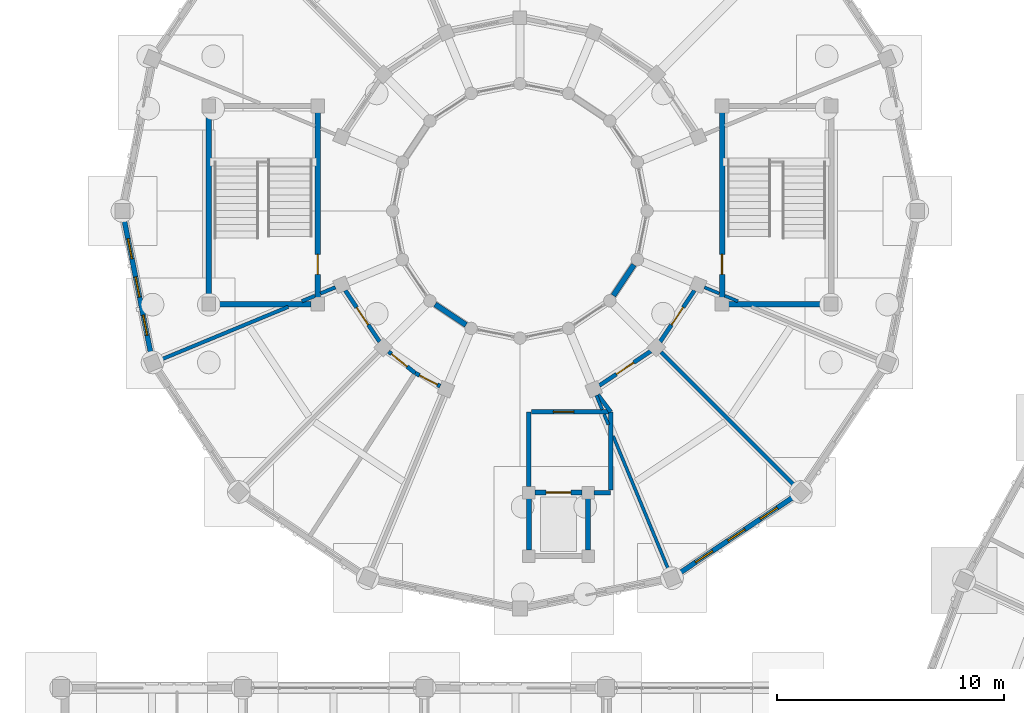
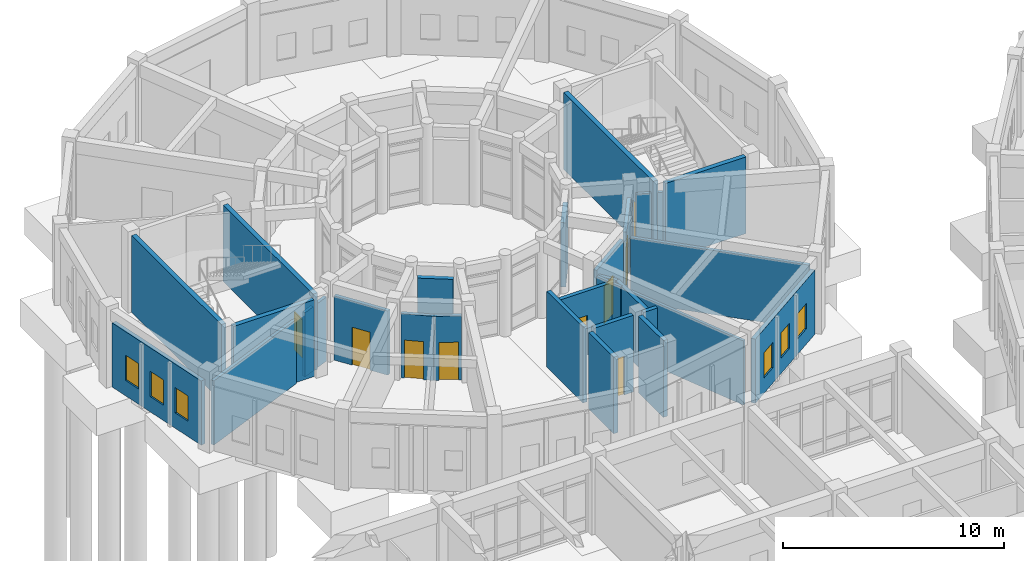
# One storey, part 126 of 153: 31 walls, 9 doors, 6 windows, 15 openings.
"""IFC4 building model written with IfcOpenShell, lengths in metres."""

import ifcopenshell
import ifcopenshell.guid

model = None  # the IFC model being written
_history = None  # IfcOwnerHistory: only IFC2X3 demands one
_inside = {}  # id of a spatial element -> (the spatial element, [elements in it])
_under = {}  # id of a project, library or spatial element -> (it, [spatial elements below it])
_declared = {}  # id of a project -> (the project, [libraries it declares])
_typed = {}  # id of a type object -> (the type object, [elements of that type])
_made_of = {}  # id of a material, layer set ... -> (it, [elements and type objects made of it])


def new_model(schema):
    """Start an empty IFC model of exactly this schema.

    Asked for "IFC4X3", IfcOpenShell would pick the latest addendum, in which some entities
    have other attributes; the version numbers below select the first issue.
    IFC2X3 requires an IfcOwnerHistory on every rooted entity: one is made here for all.
    """
    global model, _history
    if schema == "IFC4X3":
        model = ifcopenshell.file(schema_version=(4, 3, 0, 0))
    else:
        model = ifcopenshell.file(schema=schema)
    _inside.clear()
    _under.clear()
    _declared.clear()
    _typed.clear()
    _made_of.clear()
    _history = None
    if model.schema == "IFC2X3":
        org = make("IfcOrganization", Name="unknown")
        user = make(
            "IfcPersonAndOrganization",
            ThePerson=make("IfcPerson", FamilyName="unknown"),
            TheOrganization=org,
        )
        app = make(
            "IfcApplication",
            ApplicationDeveloper=org,
            Version="unknown",
            ApplicationFullName="unknown",
            ApplicationIdentifier="unknown",
        )
        _history = make(
            "IfcOwnerHistory",
            OwningUser=user,
            OwningApplication=app,
            ChangeAction="ADDED",
            CreationDate=0,
        )
    return model


def make(cls, **values):
    """One entity of the class cls with the attributes given. An attribute that is None is left unset."""
    return model.create_entity(
        cls, **{name: value for name, value in values.items() if value is not None}
    )


def rooted(cls, **values):
    """An entity with a GlobalId (a new one), such as an element, a storey or a relation."""
    return make(cls, GlobalId=ifcopenshell.guid.new(), OwnerHistory=_history, **values)


def si_unit(unit_type, name, prefix=None):
    """IfcSIUnit, for example si_unit("LENGTHUNIT", "METRE", prefix="MILLI")."""
    return make("IfcSIUnit", UnitType=unit_type, Prefix=prefix, Name=name)


def assignment(units):
    """IfcUnitAssignment: the units of a project."""
    return None if units is None else make("IfcUnitAssignment", Units=units)


def point(xyz):
    """IfcCartesianPoint."""
    return None if xyz is None else make("IfcCartesianPoint", Coordinates=xyz)


def direction(xyz):
    """IfcDirection."""
    return None if xyz is None else make("IfcDirection", DirectionRatios=xyz)


def frame(location, z_axis=None, x_axis=None):
    """IfcAxis2Placement3D, a coordinate frame: its origin and axes. An axis left out is left unset."""
    return make(
        "IfcAxis2Placement3D",
        Location=point(location),
        Axis=direction(z_axis),
        RefDirection=direction(x_axis),
    )


def frame_2d(location, x_axis=None):
    """IfcAxis2Placement2D, a coordinate frame in the plane: its origin and x axis."""
    return make(
        "IfcAxis2Placement2D", Location=point(location), RefDirection=direction(x_axis)
    )


def origin():
    """The frame at (0, 0, 0) with its axes left unset."""
    return frame((0.0, 0.0, 0.0))


def place(relative_to, where):
    """IfcLocalPlacement: puts the frame where relative to a parent placement (None: the world)."""
    return make(
        "IfcLocalPlacement", PlacementRelTo=relative_to, RelativePlacement=where
    )


def context(
    kind, dimensions, precision=None, world=None, true_north=None, identifier=None
):
    """IfcGeometricRepresentationContext, for example the 3D "Model" context."""
    return make(
        "IfcGeometricRepresentationContext",
        ContextIdentifier=identifier,
        ContextType=kind,
        CoordinateSpaceDimension=dimensions,
        Precision=precision,
        WorldCoordinateSystem=world,
        TrueNorth=true_north,
    )


def subcontext(parent, identifier, kind, view, scale=None):
    """IfcGeometricRepresentationSubContext, for example "Body" below "Model"."""
    return make(
        "IfcGeometricRepresentationSubContext",
        ContextIdentifier=identifier,
        ContextType=kind,
        ParentContext=parent,
        TargetScale=scale,
        TargetView=view,
    )


def project(units=None, contexts=None):
    """IfcProject with its units and contexts."""
    return rooted(
        "IfcProject",
        Name="project",
        RepresentationContexts=contexts,
        UnitsInContext=assignment(units),
    )


def spatial(cls, under=None, at=None, **own):
    """A site, building, storey or space (cls), placed at a placement, below another one or the project."""
    s = rooted(cls, ObjectPlacement=at, **own)
    if under is not None:
        _under.setdefault(under.id(), (under, []))[1].append(s)
    return s


def profile(cls, at=None, kind="AREA", **sizes):
    """A parametric profile (cls). Its sizes go by their IFC names, for example OverallWidth=200.0."""
    return make(cls, ProfileType=kind, Position=at, **sizes)


def rectangle(**sizes):
    """IfcRectangleProfileDef."""
    return profile("IfcRectangleProfileDef", **sizes)


def extrude(swept, where, along, depth):
    """IfcExtrudedAreaSolid: the profile swept, set in the frame where, extruded along a direction by depth."""
    return make(
        "IfcExtrudedAreaSolid",
        SweptArea=swept,
        Position=where,
        ExtrudedDirection=direction(along),
        Depth=depth,
    )


def shape(context_of_items, identifier, shape_type, items):
    """IfcShapeRepresentation: the items that make up one representation, for example the "Body"."""
    return make(
        "IfcShapeRepresentation",
        ContextOfItems=context_of_items,
        RepresentationIdentifier=identifier,
        RepresentationType=shape_type,
        Items=items,
    )


def material(Name=None, Category=None):
    """IfcMaterial."""
    return make("IfcMaterial", Name=Name, Category=Category)


def layer(
    of_material, thickness, ventilated=None, Name=None, Category=None, Priority=None
):
    """IfcMaterialLayer: one layer of a wall or slab, of a material (None: an air gap)."""
    return make(
        "IfcMaterialLayer",
        Material=of_material,
        LayerThickness=thickness,
        IsVentilated=ventilated,
        Name=Name,
        Category=Category,
        Priority=Priority,
    )


def layer_set(layers, Name=None):
    """IfcMaterialLayerSet."""
    return make("IfcMaterialLayerSet", MaterialLayers=layers, LayerSetName=Name)


def made_of(thing, what):
    """Note that an element or type object is made of a material, layer set ...; save() writes the relation."""
    if what is not None:
        _made_of.setdefault(what.id(), (what, []))[1].append(thing)
    return thing


def type_object(cls, material=None, **own):
    """A type object (cls), such as IfcWallType, which elements share."""
    return made_of(rooted(cls, **own), material)


def element(
    cls,
    number,
    at=None,
    inside=None,
    cuts=None,
    type_object=None,
    material=None,
    context=None,
    identifier="Body",
    shape_type=None,
    held_by="IfcProductDefinitionShape",
    body=None,
    shapes=None,
    **own,
):
    """One element of the class cls, such as IfcWall. Its Tag is "e" and its number.

    at: its placement. inside: the storey or other place that contains it. cuts: it is an
    opening in that element (IfcRelVoidsElement). A single representation is given by context,
    identifier, shape_type and body (its items); several are given by shapes. held_by: the class
    of the entity that holds the representations. save() writes the other relations.
    """
    e = rooted(cls, Tag="e%d" % number, ObjectPlacement=at, **own)
    if body is not None:
        shapes = [shape(context, identifier, shape_type, body)]
    if shapes is not None:
        e.Representation = make(held_by, Representations=shapes)
    if inside is not None:
        _inside.setdefault(inside.id(), (inside, []))[1].append(e)
    if cuts is not None:
        rooted(
            "IfcRelVoidsElement", RelatingBuildingElement=cuts, RelatedOpeningElement=e
        )
    if type_object is not None:
        _typed.setdefault(type_object.id(), (type_object, []))[1].append(e)
    return made_of(e, material)


def fill(opening, filler):
    """IfcRelFillsElement: the door or window that sits in an opening."""
    return rooted(
        "IfcRelFillsElement",
        RelatingOpeningElement=opening,
        RelatedBuildingElement=filler,
    )


def aggregate(whole, parts):
    """IfcRelAggregates: a whole, such as a stair, and the parts it consists of."""
    return rooted("IfcRelAggregates", RelatingObject=whole, RelatedObjects=parts)


def save(model, path):
    """Write the relations noted so far, then the file.

    IfcRelAggregates (storeys below a building ...), IfcRelContainedInSpatialStructure (elements
    in a storey), IfcRelDefinesByType, IfcRelAssociatesMaterial and IfcRelDeclares: one each for
    every whole, place, type object, material and project.
    """
    for whole, parts in _under.values():
        aggregate(whole, parts)
    for where, things in _inside.values():
        rooted(
            "IfcRelContainedInSpatialStructure",
            RelatedElements=things,
            RelatingStructure=where,
        )
    for kind, things in _typed.values():
        rooted("IfcRelDefinesByType", RelatedObjects=things, RelatingType=kind)
    for what, things in _made_of.values():
        rooted("IfcRelAssociatesMaterial", RelatedObjects=things, RelatingMaterial=what)
    for by, libraries in _declared.values():
        rooted("IfcRelDeclares", RelatingContext=by, RelatedDefinitions=libraries)
    model.write(path)


model = new_model("IFC4")

# Units and contexts
model_context = context("Model", 3, precision=1e-05, world=origin(), true_north=direction((0.0, 1.0)))
body_context = subcontext(model_context, "Body", "Model", "MODEL_VIEW")
ifc_project = project(units=[si_unit("LENGTHUNIT", "METRE"), si_unit("AREAUNIT", "SQUARE_METRE"), si_unit("VOLUMEUNIT", "CUBIC_METRE"), si_unit("PLANEANGLEUNIT", "RADIAN"), si_unit("MASSUNIT", "GRAM", prefix="KILO")], contexts=[model_context])

# Site, building, storey
site_placement = place(None, origin())
site = spatial("IfcSite", under=ifc_project, at=site_placement, CompositionType="ELEMENT")
building_placement = place(site_placement, origin())
building = spatial("IfcBuilding", under=site, at=building_placement, Name="Celadon Cloister-Ring School", CompositionType="ELEMENT")
storey_placement = place(building_placement, origin())
storey = spatial("IfcBuildingStorey", under=building, at=storey_placement, Name="L00", CompositionType="ELEMENT", Elevation=0.0)

# Walls
ifc_material_1 = material(Name="Rendered concrete blockwork", Category="masonry")
ifc_layer_1 = layer(ifc_material_1, 0.239990234375)
ifc_layer_set_1 = layer_set([ifc_layer_1], Name="Rendered concrete blockwork")
wall_type_1 = type_object("IfcWallType", Name="WT-EX3", PredefinedType="SOLIDWALL", material=ifc_layer_set_1)
for number, where, z_axis, x_axis, name in (
    (1, (16.469970703125, 92.885986328125, 0.0), (0.0, 0.0, 1.0), (0.83165874011, -0.555287078904, 0.0), "Exterior Wall 0224"),
    (2, (24.31396484375, 93.27001953125, 0.0), (0.0, 0.0, 1.0), (0.555287078904, 0.83165874011, 0.0), "Exterior Wall 0229"),
):
    element("IfcWall", number, at=place(storey_placement, frame(where, z_axis=z_axis, x_axis=x_axis)), inside=storey, type_object=wall_type_1, Name=name, PredefinedType="SOLIDWALL", context=body_context, shape_type="SweptSolid", body=[
        extrude(rectangle(XDim=1.631591796875, YDim=0.239990234375, at=frame_2d((0.81591796875, 0.0))), origin(), (0.0, 0.0, 1.0), 3.550048828125),
    ])

# Wall, openings, windows
ifc_material_2 = material(Name="Perforated terracotta clay brick masonry", Category="masonry")
ifc_layer_2 = layer(ifc_material_2, 0.219970703125)
ifc_layer_set_2 = layer_set([ifc_layer_2], Name="Perforated terracotta clay brick masonry")
wall_type_2 = type_object("IfcWallType", Name="WT-EX4", PredefinedType="SOLIDWALL", material=ifc_layer_set_2)
wall_1_placement = place(storey_placement, frame((3.962890625, 90.65087890625, 0.0), z_axis=(0.0, 0.0, 1.0), x_axis=(-0.195110859746, 0.980781194971, 0.0)))
wall_1 = element("IfcWall", 3, at=wall_1_placement, inside=storey, type_object=wall_type_2, Name="Exterior Wall 0221", PredefinedType="SOLIDWALL", context=body_context, shape_type="SweptSolid", body=[
    extrude(rectangle(XDim=6.118896484375, YDim=0.219970703125, at=frame_2d((3.0595703125, 0.0))), origin(), (0.0, 0.0, 1.0), 3.550048828125),
])
opening_1_placement = place(wall_1_placement, frame((0.89599609375, 0.0, 0.85009765625)))
opening_1 = element("IfcOpeningElement", 4, at=opening_1_placement, cuts=wall_1, Name="Opening WN-21", PredefinedType="OPENING", context=body_context, shape_type="SweptSolid", body=[
    extrude(rectangle(XDim=0.89990234375, YDim=1.39990234375, at=frame_2d((0.449951171875, 0.699951171875))), frame((0.0, 0.1201171875, 0.0), z_axis=(0.0, -1.0, 0.0), x_axis=(1.0, 0.0, 0.0)), (0.0, 0.0, 1.0), 0.239990234375),
])
opening_2_placement = place(wall_1_placement, frame((2.60888671875, 0.0, 0.85009765625)))
opening_2 = element("IfcOpeningElement", 5, at=opening_2_placement, cuts=wall_1, Name="Opening WN-21", PredefinedType="OPENING", context=body_context, shape_type="SweptSolid", body=[
    extrude(rectangle(XDim=0.89990234375, YDim=1.39990234375, at=frame_2d((0.449951171875, 0.699951171875))), frame((0.0, 0.1201171875, 0.0), z_axis=(0.0, -1.0, 0.0), x_axis=(1.0, 0.0, 0.0)), (0.0, 0.0, 1.0), 0.239990234375),
])
opening_3_placement = place(wall_1_placement, frame((4.322998046875, 0.0, 0.85009765625)))
opening_3 = element("IfcOpeningElement", 6, at=opening_3_placement, cuts=wall_1, Name="Opening WN-21", PredefinedType="OPENING", context=body_context, shape_type="SweptSolid", body=[
    extrude(rectangle(XDim=0.89990234375, YDim=1.39990234375, at=frame_2d((0.449951171875, 0.699951171875))), frame((0.0, 0.1201171875, 0.0), z_axis=(0.0, -1.0, 0.0), x_axis=(1.0, 0.0, 0.0)), (0.0, 0.0, 1.0), 0.239990234375),
])
ifc_material_3 = material(Name="Tempered laminated insulating glass", Category="glass")
window_type = type_object("IfcWindowType", Name="WN-21", PartitioningType="SINGLE_PANEL", PredefinedType="WINDOW", material=ifc_material_3)
window_1_placement = place(opening_1_placement, origin())
window_1 = element("IfcWindow", 7, at=window_1_placement, inside=storey, type_object=window_type, Name="Window 0599", OverallHeight=1.39990234375, OverallWidth=0.89990234375, PartitioningType="SINGLE_PANEL", PredefinedType="WINDOW", context=body_context, shape_type="SweptSolid", body=[
    extrude(rectangle(XDim=0.89990234375, YDim=1.39990234375, at=frame_2d((0.449951171875, 0.699951171875))), frame((0.0, 0.030029296875, 0.0), z_axis=(0.0, -1.0, 0.0), x_axis=(1.0, 0.0, 0.0)), (0.0, 0.0, 1.0), 0.06005859375),
])
fill(opening_1, window_1)
window_2_placement = place(opening_2_placement, origin())
window_2 = element("IfcWindow", 8, at=window_2_placement, inside=storey, type_object=window_type, Name="Window 0600", OverallHeight=1.39990234375, OverallWidth=0.89990234375, PartitioningType="SINGLE_PANEL", PredefinedType="WINDOW", context=body_context, shape_type="SweptSolid", body=[
    extrude(rectangle(XDim=0.89990234375, YDim=1.39990234375, at=frame_2d((0.449951171875, 0.699951171875))), frame((0.0, 0.030029296875, 0.0), z_axis=(0.0, -1.0, 0.0), x_axis=(1.0, 0.0, 0.0)), (0.0, 0.0, 1.0), 0.06005859375),
])
fill(opening_2, window_2)
window_3_placement = place(opening_3_placement, origin())
window_3 = element("IfcWindow", 9, at=window_3_placement, inside=storey, type_object=window_type, Name="Window 0601", OverallHeight=1.39990234375, OverallWidth=0.89990234375, PartitioningType="SINGLE_PANEL", PredefinedType="WINDOW", context=body_context, shape_type="SweptSolid", body=[
    extrude(rectangle(XDim=0.89990234375, YDim=1.39990234375, at=frame_2d((0.449951171875, 0.699951171875))), frame((0.0, 0.030029296875, 0.0), z_axis=(0.0, -1.0, 0.0), x_axis=(1.0, 0.0, 0.0)), (0.0, 0.0, 1.0), 0.06005859375),
])
fill(opening_3, window_3)

wall_2_placement = place(storey_placement, frame((32.279052734375, 84.428955078125, 0.0), z_axis=(0.0, 0.0, 1.0), x_axis=(-0.831411331728, -0.555657446161, 0.0)))
wall_2 = element("IfcWall", 10, at=wall_2_placement, inside=storey, type_object=wall_type_2, Name="Exterior Wall 0227", PredefinedType="SOLIDWALL", context=body_context, shape_type="SweptSolid", body=[
    extrude(rectangle(XDim=6.11865234375, YDim=0.219970703125, at=frame_2d((3.059326171875, 0.0))), origin(), (0.0, 0.0, 1.0), 3.550048828125),
])
opening_4_placement = place(wall_2_placement, frame((0.89599609375, 0.0, 0.85009765625)))
opening_4 = element("IfcOpeningElement", 11, at=opening_4_placement, cuts=wall_2, Name="Opening WN-21", PredefinedType="OPENING", context=body_context, shape_type="SweptSolid", body=[
    extrude(rectangle(XDim=0.89990234375, YDim=1.39990234375, at=frame_2d((0.449951171875, 0.699951171875))), frame((0.0, 0.1201171875, 0.0), z_axis=(0.0, -1.0, 0.0), x_axis=(1.0, 0.0, 0.0)), (0.0, 0.0, 1.0), 0.239990234375),
])
opening_5_placement = place(wall_2_placement, frame((2.60888671875, 0.0, 0.85009765625)))
opening_5 = element("IfcOpeningElement", 12, at=opening_5_placement, cuts=wall_2, Name="Opening WN-21", PredefinedType="OPENING", context=body_context, shape_type="SweptSolid", body=[
    extrude(rectangle(XDim=0.89990234375, YDim=1.39990234375, at=frame_2d((0.449951171875, 0.699951171875))), frame((0.0, 0.1201171875, 0.0), z_axis=(0.0, -1.0, 0.0), x_axis=(1.0, 0.0, 0.0)), (0.0, 0.0, 1.0), 0.239990234375),
])
opening_6_placement = place(wall_2_placement, frame((4.322998046875, 0.0, 0.85009765625)))
opening_6 = element("IfcOpeningElement", 13, at=opening_6_placement, cuts=wall_2, Name="Opening WN-21", PredefinedType="OPENING", context=body_context, shape_type="SweptSolid", body=[
    extrude(rectangle(XDim=0.89990234375, YDim=1.39990234375, at=frame_2d((0.449951171875, 0.699951171875))), frame((0.0, 0.1201171875, 0.0), z_axis=(0.0, -1.0, 0.0), x_axis=(1.0, 0.0, 0.0)), (0.0, 0.0, 1.0), 0.239990234375),
])
window_4_placement = place(opening_4_placement, origin())
window_4 = element("IfcWindow", 14, at=window_4_placement, inside=storey, type_object=window_type, Name="Window 0613", OverallHeight=1.39990234375, OverallWidth=0.89990234375, PartitioningType="SINGLE_PANEL", PredefinedType="WINDOW", context=body_context, shape_type="SweptSolid", body=[
    extrude(rectangle(XDim=0.89990234375, YDim=1.39990234375, at=frame_2d((0.449951171875, 0.699951171875))), frame((0.0, 0.030029296875, 0.0), z_axis=(0.0, -1.0, 0.0), x_axis=(1.0, 0.0, 0.0)), (0.0, 0.0, 1.0), 0.06005859375),
])
fill(opening_4, window_4)
window_5_placement = place(opening_5_placement, origin())
window_5 = element("IfcWindow", 15, at=window_5_placement, inside=storey, type_object=window_type, Name="Window 0614", OverallHeight=1.39990234375, OverallWidth=0.89990234375, PartitioningType="SINGLE_PANEL", PredefinedType="WINDOW", context=body_context, shape_type="SweptSolid", body=[
    extrude(rectangle(XDim=0.89990234375, YDim=1.39990234375, at=frame_2d((0.449951171875, 0.699951171875))), frame((0.0, 0.030029296875, 0.0), z_axis=(0.0, -1.0, 0.0), x_axis=(1.0, 0.0, 0.0)), (0.0, 0.0, 1.0), 0.06005859375),
])
fill(opening_5, window_5)
window_6_placement = place(opening_6_placement, origin())
window_6 = element("IfcWindow", 16, at=window_6_placement, inside=storey, type_object=window_type, Name="Window 0615", OverallHeight=1.39990234375, OverallWidth=0.89990234375, PartitioningType="SINGLE_PANEL", PredefinedType="WINDOW", context=body_context, shape_type="SweptSolid", body=[
    extrude(rectangle(XDim=0.89990234375, YDim=1.39990234375, at=frame_2d((0.449951171875, 0.699951171875))), frame((0.0, 0.030029296875, 0.0), z_axis=(0.0, -1.0, 0.0), x_axis=(1.0, 0.0, 0.0)), (0.0, 0.0, 1.0), 0.06005859375),
])
fill(opening_6, window_6)

# Walls
ifc_material_4 = material(Name="Plastered hollow concrete masonry", Category="masonry")
ifc_layer_3 = layer(ifc_material_4, 0.199951171875)
ifc_layer_set_3 = layer_set([ifc_layer_3], Name="Plastered hollow concrete masonry")
wall_type_3 = type_object("IfcWallType", Name="WT-PT1", PredefinedType="PARTITIONING", material=ifc_layer_set_3)
wall_3_placement = place(storey_placement, frame((23.467041015625, 84.60009765625, 0.0), z_axis=(0.0, 0.0, 1.0), x_axis=(1.0, 0.0, 0.0)))
element("IfcWall", 17, at=wall_3_placement, inside=storey, type_object=wall_type_3, Name="Interior Wall 0339", PredefinedType="PARTITIONING", context=body_context, shape_type="SweptSolid", body=[
    extrude(rectangle(XDim=0.73291015625, YDim=0.199951171875, at=frame_2d((0.366455078125, 0.0))), origin(), (0.0, 0.0, 1.0), 4.199951171875),
])
wall_4_placement = place(storey_placement, frame((20.60009765625, 84.866943359375, 0.0), z_axis=(0.0, 0.0, 1.0), x_axis=(0.0, 1.0, 0.0)))
element("IfcWall", 18, at=wall_4_placement, inside=storey, type_object=wall_type_3, Name="Interior Wall 0340", PredefinedType="PARTITIONING", context=body_context, shape_type="SweptSolid", body=[
    extrude(rectangle(XDim=3.282958984375, YDim=0.199951171875, at=frame_2d((1.6416015625, 0.0))), origin(), (0.0, 0.0, 1.0), 4.199951171875),
])
wall_5_placement = place(storey_placement, frame((24.199951171875, 84.702880859375, 0.0), z_axis=(0.0, 0.0, 1.0), x_axis=(0.0, 1.0, 0.0)))
element("IfcWall", 19, at=wall_5_placement, inside=storey, type_object=wall_type_3, Name="Interior Wall 0341", PredefinedType="PARTITIONING", context=body_context, shape_type="SweptSolid", body=[
    extrude(rectangle(XDim=3.447021484375, YDim=0.199951171875, at=frame_2d((1.7236328125, 0.0))), origin(), (0.0, 0.0, 1.0), 3.552001953125),
])

# Wall, opening, door
wall_6_placement = place(storey_placement, frame((20.702880859375, 88.14990234375, 0.0), z_axis=(0.0, 0.0, 1.0), x_axis=(1.0, 0.0, 0.0)))
wall_6 = element("IfcWall", 20, at=wall_6_placement, inside=storey, type_object=wall_type_3, Name="Interior Wall 0342", PredefinedType="PARTITIONING", context=body_context, shape_type="SweptSolid", body=[
    extrude(rectangle(XDim=3.39404296875, YDim=0.199951171875, at=frame_2d((1.697021484375, 0.0))), origin(), (0.0, 0.0, 1.0), 3.552001953125),
])
opening_7_placement = place(wall_6_placement, frame((0.97509765625, 0.0, 0.0)))
opening_7 = element("IfcOpeningElement", 21, at=opening_7_placement, cuts=wall_6, Name="Opening D-0101", PredefinedType="OPENING", context=body_context, shape_type="SweptSolid", body=[
    extrude(rectangle(XDim=0.89990234375, YDim=2.199951171875, at=frame_2d((0.449951171875, 1.10009765625))), frame((0.0, 0.10986328125, 0.0), z_axis=(0.0, -1.0, 0.0), x_axis=(1.0, 0.0, 0.0)), (0.0, 0.0, 1.0), 0.219970703125),
])
ifc_material_5 = material(Name="Solid-core fire-rated hardwood leaf", Category="wood")
door_type_1 = type_object("IfcDoorType", Name="DT-06", OperationType="NOTDEFINED", PredefinedType="DOOR", material=ifc_material_5)
door_1_placement = place(opening_7_placement, origin())
door_1 = element("IfcDoor", 22, at=door_1_placement, inside=storey, type_object=door_type_1, Name="Door D-0101", OperationType="SINGLE_SWING_LEFT", OverallHeight=2.199951171875, OverallWidth=0.89990234375, PredefinedType="DOOR", context=body_context, shape_type="SweptSolid", body=[
    extrude(rectangle(XDim=0.89990234375, YDim=2.199951171875, at=frame_2d((0.449951171875, 1.10009765625))), frame((0.0, 0.02490234375, 0.0), z_axis=(0.0, -1.0, 0.0), x_axis=(1.0, 0.0, 0.0)), (0.0, 0.0, 1.0), 0.050048828125),
])
fill(opening_7, door_1)

ifc_material_6 = material(Name="Plastered hollow concrete masonry", Category="masonry")
ifc_layer_4 = layer(ifc_material_6, 0.179931640625)
ifc_layer_set_4 = layer_set([ifc_layer_4], Name="Plastered hollow concrete masonry")
wall_type_4 = type_object("IfcWallType", Name="WT-PT2", PredefinedType="PARTITIONING", material=ifc_layer_set_4)
wall_7_placement = place(storey_placement, frame((12.511962890625, 93.4990234375, 0.0), z_axis=(0.0, 0.0, 1.0), x_axis=(0.556128339679, -0.831096426298, 0.0)))
wall_7 = element("IfcWall", 23, at=wall_7_placement, inside=storey, type_object=wall_type_4, Name="Interior Wall 0665", PredefinedType="PARTITIONING", context=body_context, shape_type="SweptSolid", body=[
    extrude(rectangle(XDim=2.720458984375, YDim=0.179931640625, at=frame_2d((1.3603515625, 0.0))), origin(), (0.0, 0.0, 1.0), 3.552001953125),
])
opening_8_placement = place(wall_7_placement, frame((0.89990234375, 0.0, 0.0)))
opening_8 = element("IfcOpeningElement", 24, at=opening_8_placement, cuts=wall_7, Name="Opening D-0243", PredefinedType="OPENING", context=body_context, shape_type="SweptSolid", body=[
    extrude(rectangle(XDim=0.919921875, YDim=2.10009765625, at=frame_2d((0.4599609375, 1.050048828125))), frame((0.0, 0.10009765625, 0.0), z_axis=(0.0, -1.0, 0.0), x_axis=(1.0, 0.0, 0.0)), (0.0, 0.0, 1.0), 0.199951171875),
])
ifc_material_7 = material(Name="Solid-core fire-rated hardwood leaf", Category="wood")
door_type_2 = type_object("IfcDoorType", Name="DT-02", OperationType="NOTDEFINED", PredefinedType="DOOR", material=ifc_material_7)
door_2_placement = place(opening_8_placement, origin())
door_2 = element("IfcDoor", 25, at=door_2_placement, inside=storey, type_object=door_type_2, Name="Door D-0243", OperationType="SINGLE_SWING_LEFT", OverallHeight=2.10009765625, OverallWidth=0.919921875, PredefinedType="DOOR", context=body_context, shape_type="SweptSolid", body=[
    extrude(rectangle(XDim=0.919921875, YDim=2.10009765625, at=frame_2d((0.4599609375, 1.050048828125))), frame((0.0, 0.02490234375, 0.0), z_axis=(0.0, -1.0, 0.0), x_axis=(1.0, 0.0, 0.0)), (0.0, 0.0, 1.0), 0.050048828125),
])
fill(opening_8, door_2)

wall_8_placement = place(storey_placement, frame((14.41796875, 90.804931640625, 0.0), z_axis=(0.0, 0.0, 1.0), x_axis=(0.777901544977, -0.628386176107, 0.0)))
wall_8 = element("IfcWall", 26, at=wall_8_placement, inside=storey, type_object=wall_type_4, Name="Interior Wall 0666", PredefinedType="PARTITIONING", context=body_context, shape_type="SweptSolid", body=[
    extrude(rectangle(XDim=1.505615234375, YDim=0.179931640625, at=frame_2d((0.7529296875, 0.0))), origin(), (0.0, 0.0, 1.0), 3.552001953125),
])
opening_9_placement = place(wall_8_placement, frame((0.166015625, 0.0, 0.0)))
opening_9 = element("IfcOpeningElement", 27, at=opening_9_placement, cuts=wall_8, Name="Opening D-0244", PredefinedType="OPENING", context=body_context, shape_type="SweptSolid", body=[
    extrude(rectangle(XDim=0.8798828125, YDim=2.10009765625, at=frame_2d((0.43994140625, 1.050048828125))), frame((0.0, 0.10009765625, 0.0), z_axis=(0.0, -1.0, 0.0), x_axis=(1.0, 0.0, 0.0)), (0.0, 0.0, 1.0), 0.199951171875),
])
ifc_material_8 = material(Name="Solid-core fire-rated hardwood leaf", Category="wood")
door_type_3 = type_object("IfcDoorType", Name="DT-01", OperationType="NOTDEFINED", PredefinedType="DOOR", material=ifc_material_8)
door_3_placement = place(opening_9_placement, origin())
door_3 = element("IfcDoor", 28, at=door_3_placement, inside=storey, type_object=door_type_3, Name="Door D-0244", OperationType="SINGLE_SWING_RIGHT", OverallHeight=2.10009765625, OverallWidth=0.8798828125, PredefinedType="DOOR", context=body_context, shape_type="SweptSolid", body=[
    extrude(rectangle(XDim=0.8798828125, YDim=2.10009765625, at=frame_2d((0.43994140625, 1.050048828125))), frame((0.0, 0.02490234375, 0.0), z_axis=(0.0, -1.0, 0.0), x_axis=(1.0, 0.0, 0.0)), (0.0, 0.0, 1.0), 0.050048828125),
])
fill(opening_9, door_3)

wall_9_placement = place(storey_placement, frame((15.589111328125, 89.85888671875, 0.0), z_axis=(0.0, 0.0, 1.0), x_axis=(0.885553865366, -0.464536706337, 0.0)))
wall_9 = element("IfcWall", 29, at=wall_9_placement, inside=storey, type_object=wall_type_4, Name="Interior Wall 0667", PredefinedType="PARTITIONING", context=body_context, shape_type="SweptSolid", body=[
    extrude(rectangle(XDim=1.23974609375, YDim=0.179931640625, at=frame_2d((0.619873046875, 0.0))), origin(), (0.0, 0.0, 1.0), 3.552001953125),
])
opening_10_placement = place(wall_9_placement, frame((0.219970703125, 0.0, 0.0)))
opening_10 = element("IfcOpeningElement", 30, at=opening_10_placement, cuts=wall_9, Name="Opening D-0245", PredefinedType="OPENING", context=body_context, shape_type="SweptSolid", body=[
    extrude(rectangle(XDim=0.8798828125, YDim=2.10009765625, at=frame_2d((0.43994140625, 1.050048828125))), frame((0.0, 0.10009765625, 0.0), z_axis=(0.0, -1.0, 0.0), x_axis=(1.0, 0.0, 0.0)), (0.0, 0.0, 1.0), 0.199951171875),
])
door_4_placement = place(opening_10_placement, origin())
door_4 = element("IfcDoor", 31, at=door_4_placement, inside=storey, type_object=door_type_3, Name="Door D-0245", OperationType="SINGLE_SWING_LEFT", OverallHeight=2.10009765625, OverallWidth=0.8798828125, PredefinedType="DOOR", context=body_context, shape_type="SweptSolid", body=[
    extrude(rectangle(XDim=0.8798828125, YDim=2.10009765625, at=frame_2d((0.43994140625, 1.050048828125))), frame((0.0, 0.02490234375, 0.0), z_axis=(0.0, -1.0, 0.0), x_axis=(1.0, 0.0, 0.0)), (0.0, 0.0, 1.0), 0.050048828125),
])
fill(opening_10, door_4)

wall_10_placement = place(storey_placement, frame((23.700927734375, 89.31201171875, 0.0), z_axis=(0.0, 0.0, 1.0), x_axis=(0.831096426298, 0.556128339679, 0.0)))
wall_10 = element("IfcWall", 32, at=wall_10_placement, inside=storey, type_object=wall_type_4, Name="Interior Wall 0668", PredefinedType="PARTITIONING", context=body_context, shape_type="SweptSolid", body=[
    extrude(rectangle(XDim=2.720458984375, YDim=0.179931640625, at=frame_2d((1.3603515625, 0.0))), origin(), (0.0, 0.0, 1.0), 3.552001953125),
])
opening_11_placement = place(wall_10_placement, frame((0.89990234375, 0.0, 0.0)))
opening_11 = element("IfcOpeningElement", 33, at=opening_11_placement, cuts=wall_10, Name="Opening D-0246", PredefinedType="OPENING", context=body_context, shape_type="SweptSolid", body=[
    extrude(rectangle(XDim=0.919921875, YDim=2.10009765625, at=frame_2d((0.4599609375, 1.050048828125))), frame((0.0, 0.10009765625, 0.0), z_axis=(0.0, -1.0, 0.0), x_axis=(1.0, 0.0, 0.0)), (0.0, 0.0, 1.0), 0.199951171875),
])
door_5_placement = place(opening_11_placement, origin())
door_5 = element("IfcDoor", 34, at=door_5_placement, inside=storey, type_object=door_type_2, Name="Door D-0246", OperationType="SINGLE_SWING_RIGHT", OverallHeight=2.10009765625, OverallWidth=0.919921875, PredefinedType="DOOR", context=body_context, shape_type="SweptSolid", body=[
    extrude(rectangle(XDim=0.919921875, YDim=2.10009765625, at=frame_2d((0.4599609375, 1.050048828125))), frame((0.0, 0.02490234375, 0.0), z_axis=(0.0, -1.0, 0.0), x_axis=(1.0, 0.0, 0.0)), (0.0, 0.0, 1.0), 0.050048828125),
])
fill(opening_11, door_5)

wall_11_placement = place(storey_placement, frame((26.375, 91.238037109375, 0.0), z_axis=(0.0, 0.0, 1.0), x_axis=(0.556128339679, 0.831096426298, 0.0)))
wall_11 = element("IfcWall", 35, at=wall_11_placement, inside=storey, type_object=wall_type_4, Name="Interior Wall 0669", PredefinedType="PARTITIONING", context=body_context, shape_type="SweptSolid", body=[
    extrude(rectangle(XDim=2.720458984375, YDim=0.179931640625, at=frame_2d((1.3603515625, 0.0))), origin(), (0.0, 0.0, 1.0), 3.552001953125),
])
opening_12_placement = place(wall_11_placement, frame((0.89990234375, 0.0, 0.0)))
opening_12 = element("IfcOpeningElement", 36, at=opening_12_placement, cuts=wall_11, Name="Opening D-0247", PredefinedType="OPENING", context=body_context, shape_type="SweptSolid", body=[
    extrude(rectangle(XDim=0.919921875, YDim=2.10009765625, at=frame_2d((0.4599609375, 1.050048828125))), frame((0.0, 0.10009765625, 0.0), z_axis=(0.0, -1.0, 0.0), x_axis=(1.0, 0.0, 0.0)), (0.0, 0.0, 1.0), 0.199951171875),
])
door_6_placement = place(opening_12_placement, origin())
door_6 = element("IfcDoor", 37, at=door_6_placement, inside=storey, type_object=door_type_2, Name="Door D-0247", OperationType="SINGLE_SWING_LEFT", OverallHeight=2.10009765625, OverallWidth=0.919921875, PredefinedType="DOOR", context=body_context, shape_type="SweptSolid", body=[
    extrude(rectangle(XDim=0.919921875, YDim=2.10009765625, at=frame_2d((0.4599609375, 1.050048828125))), frame((0.0, 0.02490234375, 0.0), z_axis=(0.0, -1.0, 0.0), x_axis=(1.0, 0.0, 0.0)), (0.0, 0.0, 1.0), 0.050048828125),
])
fill(opening_12, door_6)

# Walls
wall_12_placement = place(storey_placement, frame((24.199951171875, 88.14990234375, 0.0), z_axis=(0.0, 0.0, 1.0), x_axis=(-0.599213856278, 0.800589004699, 0.0)))
element("IfcWall", 38, at=wall_12_placement, inside=storey, type_object=wall_type_4, Name="Interior Wall 0670", PredefinedType="PARTITIONING", context=body_context, shape_type="SweptSolid", body=[
    extrude(rectangle(XDim=0.9443359375, YDim=0.179931640625, at=frame_2d((0.47216796875, 0.0))), origin(), (0.0, 0.0, 1.0), 3.552001953125),
])
ifc_material_9 = material(Name="Plastered hollow concrete masonry", Category="masonry")
ifc_layer_5 = layer(ifc_material_9, 0.159912109375)
ifc_layer_set_5 = layer_set([ifc_layer_5], Name="Plastered hollow concrete masonry")
wall_type_5 = type_object("IfcWallType", Name="WT-PT3", PredefinedType="PARTITIONING", material=ifc_layer_set_5)
wall_13_placement = place(storey_placement, frame((12.076904296875, 93.635986328125, 0.0), z_axis=(0.0, 0.0, 1.0), x_axis=(-0.923789734747, -0.382900151445, 0.0)))
element("IfcWall", 39, at=wall_13_placement, inside=storey, type_object=wall_type_5, Name="Interior Wall 0646", PredefinedType="PARTITIONING", context=body_context, shape_type="SweptSolid", body=[
    extrude(rectangle(XDim=0.707763671875, YDim=0.159912109375, at=frame_2d((0.35400390625, 0.0))), origin(), (0.0, 0.0, 1.0), 3.552001953125),
])
wall_14_placement = place(storey_placement, frame((11.177001953125, 93.262939453125, 0.0), z_axis=(0.0, 0.0, 1.0), x_axis=(-0.923812676193, -0.382844797933, 0.0)))
element("IfcWall", 40, at=wall_14_placement, inside=storey, type_object=wall_type_5, Name="Interior Wall 0647", PredefinedType="PARTITIONING", context=body_context, shape_type="SweptSolid", body=[
    extrude(rectangle(XDim=0.626953125, YDim=0.159912109375, at=frame_2d((0.3134765625, 0.0))), origin(), (0.0, 0.0, 1.0), 3.552001953125),
])
wall_15_placement = place(storey_placement, frame((10.00390625, 92.777099609375, 0.0), z_axis=(0.0, 0.0, 1.0), x_axis=(-0.923837705987, -0.382784394923, 0.0)))
element("IfcWall", 41, at=wall_15_placement, inside=storey, type_object=wall_type_5, Name="Interior Wall 0648", PredefinedType="PARTITIONING", context=body_context, shape_type="SweptSolid", body=[
    extrude(rectangle(XDim=6.147216796875, YDim=0.159912109375, at=frame_2d((3.07373046875, 0.0))), origin(), (0.0, 0.0, 1.0), 3.552001953125),
])
wall_16_placement = place(storey_placement, frame((26.416015625, 90.783935546875, 0.0), z_axis=(0.0, 0.0, 1.0), x_axis=(0.707121327267, -0.707092234807, 0.0)))
element("IfcWall", 42, at=wall_16_placement, inside=storey, type_object=wall_type_5, Name="Interior Wall 0654", PredefinedType="PARTITIONING", context=body_context, shape_type="SweptSolid", body=[
    extrude(rectangle(XDim=8.391845703125, YDim=0.159912109375, at=frame_2d((4.19580078125, 0.0))), origin(), (0.0, 0.0, 1.0), 3.552001953125),
])
ifc_material_10 = material(Name="Acoustic mineral-wool drywall partition")
ifc_layer_6 = layer(ifc_material_10, 0.139892578125)
ifc_layer_set_6 = layer_set([ifc_layer_6], Name="Acoustic mineral-wool drywall partition")
wall_type_6 = type_object("IfcWallType", Name="WT-PT4", PredefinedType="PARTITIONING", material=ifc_layer_set_6)
wall_17_placement = place(storey_placement, frame((23.56396484375, 88.876953125, 0.0), z_axis=(0.0, 0.0, 1.0), x_axis=(0.383383487336, -0.923589249417, 0.0)))
element("IfcWall", 43, at=wall_17_placement, inside=storey, type_object=wall_type_6, Name="Interior Wall 0651", PredefinedType="PARTITIONING", context=body_context, shape_type="SweptSolid", body=[
    extrude(rectangle(XDim=0.675537109375, YDim=0.139892578125, at=frame_2d((0.337890625, 0.0))), origin(), (0.0, 0.0, 1.0), 3.552001953125),
])
wall_18_placement = place(storey_placement, frame((23.907958984375, 88.047119140625, 0.0), z_axis=(0.0, 0.0, 1.0), x_axis=(0.3827885685, -0.92383597669, 0.0)))
element("IfcWall", 44, at=wall_18_placement, inside=storey, type_object=wall_type_6, Name="Interior Wall 0652", PredefinedType="PARTITIONING", context=body_context, shape_type="SweptSolid", body=[
    extrude(rectangle(XDim=0.49365234375, YDim=0.139892578125, at=frame_2d((0.246826171875, 0.0))), origin(), (0.0, 0.0, 1.0), 3.552001953125),
])
wall_19_placement = place(storey_placement, frame((24.302978515625, 87.093994140625, 0.0), z_axis=(0.0, 0.0, 1.0), x_axis=(0.382744474407, -0.923854245707, 0.0)))
element("IfcWall", 45, at=wall_19_placement, inside=storey, type_object=wall_type_6, Name="Interior Wall 0653", PredefinedType="PARTITIONING", context=body_context, shape_type="SweptSolid", body=[
    extrude(rectangle(XDim=6.4609375, YDim=0.139892578125, at=frame_2d((3.23046875, 0.0))), origin(), (0.0, 0.0, 1.0), 3.552001953125),
])
wall_20_placement = place(storey_placement, frame((28.322998046875, 93.635986328125, 0.0), z_axis=(0.0, 0.0, 1.0), x_axis=(0.923840285319, -0.382778169729, 0.0)))
element("IfcWall", 46, at=wall_20_placement, inside=storey, type_object=wall_type_6, Name="Interior Wall 0655", PredefinedType="PARTITIONING", context=body_context, shape_type="SweptSolid", body=[
    extrude(rectangle(XDim=0.7080078125, YDim=0.139892578125, at=frame_2d((0.35400390625, 0.0))), origin(), (0.0, 0.0, 1.0), 3.552001953125),
])
wall_21_placement = place(storey_placement, frame((29.222900390625, 93.262939453125, 0.0), z_axis=(0.0, 0.0, 1.0), x_axis=(0.923812676193, -0.382844797933, 0.0)))
element("IfcWall", 47, at=wall_21_placement, inside=storey, type_object=wall_type_6, Name="Interior Wall 0656", PredefinedType="PARTITIONING", context=body_context, shape_type="SweptSolid", body=[
    extrude(rectangle(XDim=0.626953125, YDim=0.139892578125, at=frame_2d((0.3134765625, 0.0))), origin(), (0.0, 0.0, 1.0), 3.552001953125),
])
ifc_material_11 = material(Name="Concrete C40/50", Category="concrete")
ifc_layer_7 = layer(ifc_material_11, 0.239990234375)
ifc_layer_set_7 = layer_set([ifc_layer_7], Name="Concrete C40/50")
wall_type_7 = type_object("IfcWallType", Name="WT-SH1", PredefinedType="SHEAR", material=ifc_layer_set_7)
wall_22_placement = place(storey_placement, frame((6.5, 93.19189453125, 0.0), z_axis=(0.0, 0.0, 1.0), x_axis=(0.0, 1.0, 0.0)))
element("IfcWall", 48, at=wall_22_placement, inside=storey, type_object=wall_type_7, Name="Interior Wall 0081", PredefinedType="SHEAR", context=body_context, shape_type="SweptSolid", body=[
    extrude(rectangle(XDim=8.135986328125, YDim=0.239990234375, at=frame_2d((4.06787109375, 0.0))), origin(), (0.0, 0.0, 1.0), 4.239990234375),
])

# Wall, opening, door
wall_23_placement = place(storey_placement, frame((11.300048828125, 101.327880859375, 0.0), z_axis=(0.0, 0.0, 1.0), x_axis=(0.0, -1.0, 0.0)))
wall_23 = element("IfcWall", 49, at=wall_23_placement, inside=storey, type_object=wall_type_7, Name="Interior Wall 0082", PredefinedType="SHEAR", context=body_context, shape_type="SweptSolid", body=[
    extrude(rectangle(XDim=8.135986328125, YDim=0.239990234375, at=frame_2d((4.06787109375, 0.0))), origin(), (0.0, 0.0, 1.0), 4.239990234375),
])
opening_13_placement = place(wall_23_placement, frame((6.243896484375, 0.0, 0.0)))
opening_13 = element("IfcOpeningElement", 50, at=opening_13_placement, cuts=wall_23, Name="Opening D-0053", PredefinedType="OPENING", context=body_context, shape_type="SweptSolid", body=[
    extrude(rectangle(XDim=0.8798828125, YDim=2.10009765625, at=frame_2d((0.43994140625, 1.050048828125))), frame((0.0, 0.1298828125, 0.0), z_axis=(0.0, -1.0, 0.0), x_axis=(1.0, 0.0, 0.0)), (0.0, 0.0, 1.0), 0.260009765625),
])
door_7_placement = place(opening_13_placement, origin())
door_7 = element("IfcDoor", 51, at=door_7_placement, inside=storey, type_object=door_type_3, Name="Door D-0053", OperationType="SINGLE_SWING_LEFT", OverallHeight=2.10009765625, OverallWidth=0.8798828125, PredefinedType="DOOR", context=body_context, shape_type="SweptSolid", body=[
    extrude(rectangle(XDim=0.8798828125, YDim=2.10009765625, at=frame_2d((0.43994140625, 1.050048828125))), frame((0.0, 0.02490234375, 0.0), z_axis=(0.0, -1.0, 0.0), x_axis=(1.0, 0.0, 0.0)), (0.0, 0.0, 1.0), 0.050048828125),
])
fill(opening_13, door_7)

# Wall
wall_24_placement = place(storey_placement, frame((11.008056640625, 92.89990234375, 0.0), z_axis=(0.0, 0.0, 1.0), x_axis=(-1.0, 0.0, 0.0)))
element("IfcWall", 52, at=wall_24_placement, inside=storey, type_object=wall_type_7, Name="Interior Wall 0083", PredefinedType="SHEAR", context=body_context, shape_type="SweptSolid", body=[
    extrude(rectangle(XDim=4.216064453125, YDim=0.239990234375, at=frame_2d((2.10791015625, 0.0))), origin(), (0.0, 0.0, 1.0), 4.239990234375),
])

# Wall, opening, door
wall_25_placement = place(storey_placement, frame((29.10009765625, 93.19189453125, 0.0), z_axis=(0.0, 0.0, 1.0), x_axis=(0.0, 1.0, 0.0)))
wall_25 = element("IfcWall", 53, at=wall_25_placement, inside=storey, type_object=wall_type_7, Name="Interior Wall 0097", PredefinedType="SHEAR", context=body_context, shape_type="SweptSolid", body=[
    extrude(rectangle(XDim=8.135986328125, YDim=0.239990234375, at=frame_2d((4.06787109375, 0.0))), origin(), (0.0, 0.0, 1.0), 4.239990234375),
])
opening_14_placement = place(wall_25_placement, frame((1.011962890625, 0.0, 0.0)))
opening_14 = element("IfcOpeningElement", 54, at=opening_14_placement, cuts=wall_25, Name="Opening D-0057", PredefinedType="OPENING", context=body_context, shape_type="SweptSolid", body=[
    extrude(rectangle(XDim=0.8798828125, YDim=2.10009765625, at=frame_2d((0.43994140625, 1.050048828125))), frame((0.0, 0.1298828125, 0.0), z_axis=(0.0, -1.0, 0.0), x_axis=(1.0, 0.0, 0.0)), (0.0, 0.0, 1.0), 0.260009765625),
])
door_8_placement = place(opening_14_placement, origin())
door_8 = element("IfcDoor", 55, at=door_8_placement, inside=storey, type_object=door_type_3, Name="Door D-0057", OperationType="SINGLE_SWING_LEFT", OverallHeight=2.10009765625, OverallWidth=0.8798828125, PredefinedType="DOOR", context=body_context, shape_type="SweptSolid", body=[
    extrude(rectangle(XDim=0.8798828125, YDim=2.10009765625, at=frame_2d((0.43994140625, 1.050048828125))), frame((0.0, 0.02490234375, 0.0), z_axis=(0.0, -1.0, 0.0), x_axis=(1.0, 0.0, 0.0)), (0.0, 0.0, 1.0), 0.050048828125),
])
fill(opening_14, door_8)

# Walls
wall_26_placement = place(storey_placement, frame((33.60791015625, 92.89990234375, 0.0), z_axis=(0.0, 0.0, 1.0), x_axis=(-1.0, 0.0, 0.0)))
element("IfcWall", 56, at=wall_26_placement, inside=storey, type_object=wall_type_7, Name="Interior Wall 0099", PredefinedType="SHEAR", context=body_context, shape_type="SweptSolid", body=[
    extrude(rectangle(XDim=4.2158203125, YDim=0.239990234375, at=frame_2d((2.10791015625, 0.0))), origin(), (0.0, 0.0, 1.0), 4.239990234375),
])
ifc_material_12 = material(Name="Concrete C40/50", Category="concrete")
ifc_layer_8 = layer(ifc_material_12, 0.219970703125)
ifc_layer_set_8 = layer_set([ifc_layer_8], Name="Concrete C40/50")
wall_type_8 = type_object("IfcWallType", Name="WT-SH2", PredefinedType="SHEAR", material=ifc_layer_set_8)
wall_27_placement = place(storey_placement, frame((23.199951171875, 82.06689453125, 0.0), z_axis=(0.0, 0.0, 1.0), x_axis=(0.0, 1.0, 0.0)))
element("IfcWall", 57, at=wall_27_placement, inside=storey, type_object=wall_type_8, Name="Interior Wall 0336", PredefinedType="SHEAR", context=body_context, shape_type="SweptSolid", body=[
    extrude(rectangle(XDim=2.26611328125, YDim=0.219970703125, at=frame_2d((1.133056640625, 0.0))), origin(), (0.0, 0.0, 1.0), 4.239990234375),
])

# Wall, opening, door
wall_28_placement = place(storey_placement, frame((22.93310546875, 84.60009765625, 0.0), z_axis=(0.0, 0.0, 1.0), x_axis=(-1.0, 0.0, 0.0)))
wall_28 = element("IfcWall", 58, at=wall_28_placement, inside=storey, type_object=wall_type_8, Name="Interior Wall 0337", PredefinedType="SHEAR", context=body_context, shape_type="SweptSolid", body=[
    extrude(rectangle(XDim=2.066162109375, YDim=0.219970703125, at=frame_2d((1.033203125, 0.0))), origin(), (0.0, 0.0, 1.0), 4.239990234375),
])
opening_15_placement = place(wall_28_placement, frame((0.48291015625, 0.0, 0.0)))
opening_15 = element("IfcOpeningElement", 59, at=opening_15_placement, cuts=wall_28, Name="Opening LD-017", PredefinedType="OPENING", context=body_context, shape_type="SweptSolid", body=[
    extrude(rectangle(XDim=1.10009765625, YDim=2.14990234375, at=frame_2d((0.550048828125, 1.074951171875))), frame((0.0, 0.1201171875, 0.0), z_axis=(0.0, -1.0, 0.0), x_axis=(1.0, 0.0, 0.0)), (0.0, 0.0, 1.0), 0.239990234375),
])
ifc_material_13 = material(Name="Galvanised fire-rated hollow steel leaf", Category="steel")
door_type_4 = type_object("IfcDoorType", Name="DT-LD1", OperationType="DOUBLE_DOOR_SLIDING", PredefinedType="DOOR", material=ifc_material_13)
door_9_placement = place(opening_15_placement, origin())
door_9 = element("IfcDoor", 60, at=door_9_placement, inside=storey, type_object=door_type_4, Name="Door LD-017", OperationType="DOUBLE_DOOR_SLIDING", OverallHeight=2.14990234375, OverallWidth=1.10009765625, PredefinedType="DOOR", context=body_context, shape_type="SweptSolid", body=[
    extrude(rectangle(XDim=1.10009765625, YDim=2.14990234375, at=frame_2d((0.550048828125, 1.074951171875))), frame((0.0, 0.02490234375, 0.0), z_axis=(0.0, -1.0, 0.0), x_axis=(1.0, 0.0, 0.0)), (0.0, 0.0, 1.0), 0.050048828125),
])
fill(opening_15, door_9)

# Wall
wall_29_placement = place(storey_placement, frame((20.60009765625, 84.3330078125, 0.0), z_axis=(0.0, 0.0, 1.0), x_axis=(0.0, -1.0, 0.0)))
element("IfcWall", 61, at=wall_29_placement, inside=storey, type_object=wall_type_8, Name="Interior Wall 0338", PredefinedType="SHEAR", context=body_context, shape_type="SweptSolid", body=[
    extrude(rectangle(XDim=2.26611328125, YDim=0.219970703125, at=frame_2d((1.133056640625, 0.0))), origin(), (0.0, 0.0, 1.0), 4.239990234375),
])

save(model, "model.ifc")
